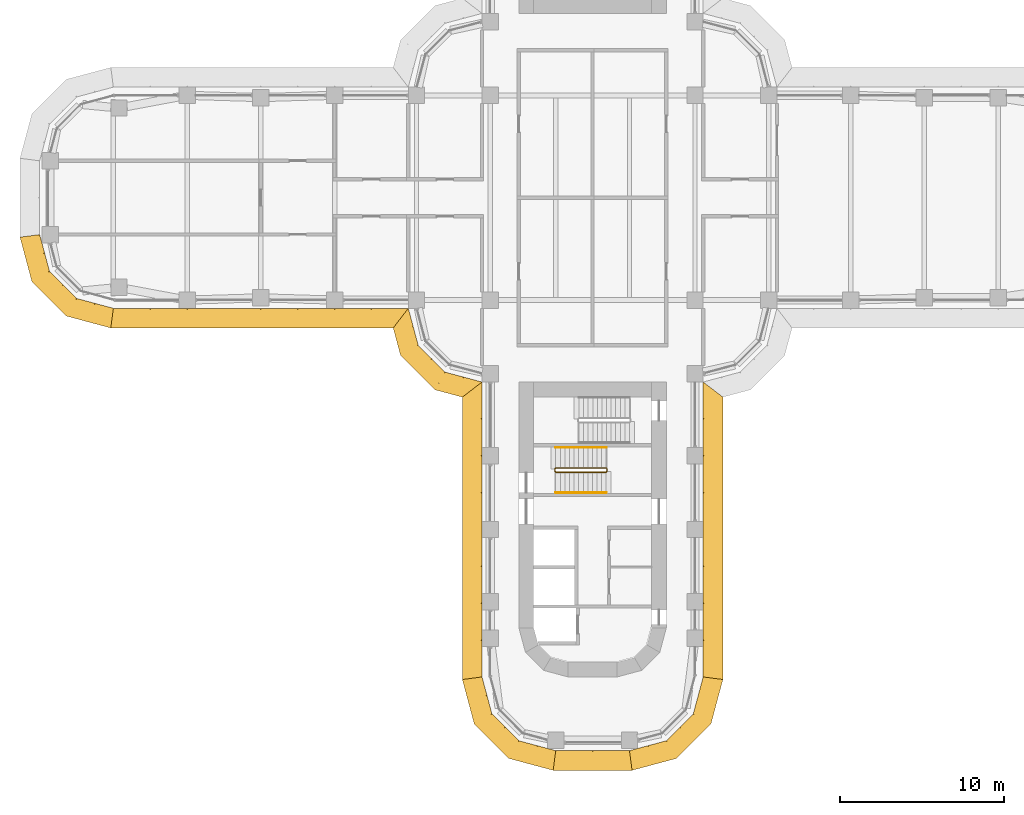
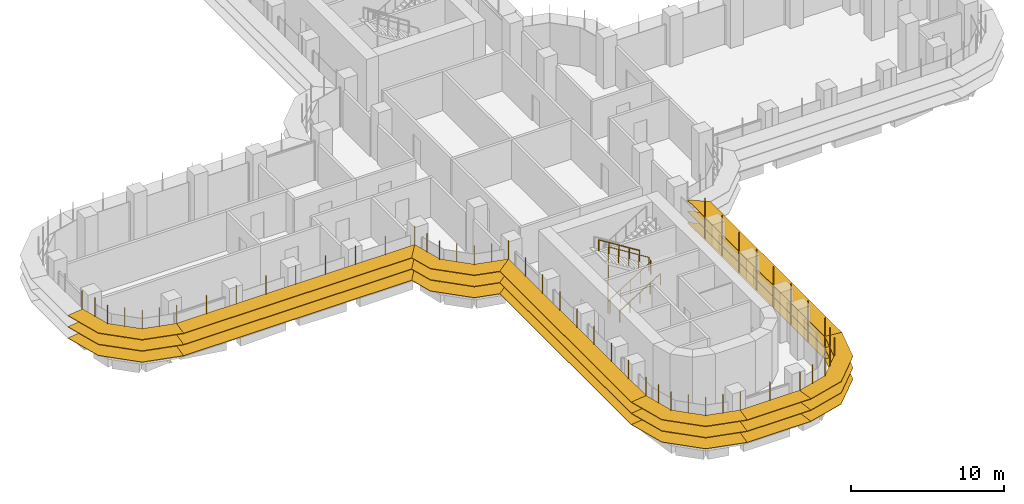
# One storey, part 20 of 23: 8 shading devices, 3 railings.
"""IFC4 building model written with IfcOpenShell, lengths in metres."""

from ifc_helpers import new_model, si_unit, direction, frame, origin, origin_2d, place, context, subcontext, project, spatial, polyline, circle, outline, extrude, faceted_brep, source, transform, mapped, material, type_object, element, save


model = new_model("IFC4")

# Units and contexts
model_context = context("Model", 3, precision=1e-05, world=origin(), true_north=direction((0.0, 1.0)))
body_context = subcontext(model_context, "Body", "Model", "MODEL_VIEW")
ifc_project = project(units=[si_unit("LENGTHUNIT", "METRE"), si_unit("AREAUNIT", "SQUARE_METRE"), si_unit("VOLUMEUNIT", "CUBIC_METRE"), si_unit("PLANEANGLEUNIT", "RADIAN"), si_unit("MASSUNIT", "GRAM", prefix="KILO")], contexts=[model_context])

# Site, building, storey
site_placement = place(None, origin())
site = spatial("IfcSite", under=ifc_project, at=site_placement, CompositionType="ELEMENT")
building_placement = place(site_placement, origin())
building = spatial("IfcBuilding", under=site, at=building_placement, Name="Zarbagh Exchange Tower", CompositionType="ELEMENT")
storey_placement = place(building_placement, frame((0.0, 0.0, 60.60009765625)))
storey = spatial("IfcBuildingStorey", under=building, at=storey_placement, Name="L13", CompositionType="ELEMENT", Elevation=60.60009765625)

# Railings
ifc_material_1 = material(Name="Stainless steel", Category="steel")
railing_type_1 = type_object("IfcRailingType", Name="Stair guard 1100 mm", PredefinedType="GUARDRAIL", material=ifc_material_1)
railing_1_placement = place(storey_placement, frame((0.830078125, -16.5, 2.27490234375)))
element("IfcRailing", 1, at=railing_1_placement, inside=storey, type_object=railing_type_1, Name="ST3 stair guard 1", PredefinedType="GUARDRAIL", context=body_context, shape_type="SweptSolid", body=[
    extrude(circle(Radius=0.02392578125, at=origin_2d()), frame((0.0, 0.0, 1.076171875), z_axis=(-0.847998304005, 0.0, 0.529998940003), x_axis=(0.0, -1.0, 0.0)), (0.0, 0.0, 1.0), 3.632080078125),
    extrude(circle(Radius=0.02392578125, at=origin_2d()), frame((-3.080078125, 0.0, 3.0009765625), z_axis=(-0.011914834358, -0.011914834358, -0.999858026644), x_axis=(0.707106781187, -0.707106781187, 0.0)), (0.0, 0.0, 1.0), 4.200439453125),
    extrude(circle(Radius=0.02392578125, at=origin_2d()), frame((-3.130126953125, -0.050048828125, -1.19873046875), z_axis=(0.0, -1.0, 0.0), x_axis=(1.0, 0.0, 0.0)), (0.0, 0.0, 1.0), 0.14990234375),
    extrude(circle(Radius=0.02392578125, at=origin_2d()), frame((-3.130126953125, -0.199951171875, -1.19873046875), z_axis=(0.265383341853, -0.265383341853, 0.926899867156), x_axis=(0.707106781187, 0.707106781187, 0.0)), (0.0, 0.0, 1.0), 0.1884765625),
    extrude(circle(Radius=0.02392578125, at=origin_2d()), frame((-3.080078125, -0.25, -1.02392578125), z_axis=(0.847998304005, 0.0, 0.529998940003), x_axis=(0.0, 1.0, 0.0)), (0.0, 0.0, 1.0), 3.632080078125),
    extrude(circle(Radius=0.02392578125, at=origin_2d()), frame((0.0, -0.25, 0.90087890625), z_axis=(0.705375805398, 0.708833529934, 0.0), x_axis=(-0.708833529934, 0.705375805398, 0.0)), (0.0, 0.0, 1.0), 0.070556640625),
    extrude(circle(Radius=0.02392578125, at=origin_2d()), frame((0.0498046875, -0.199951171875, 0.90087890625), z_axis=(0.0, 1.0, 0.0), x_axis=(-1.0, 0.0, 0.0)), (0.0, 0.0, 1.0), 0.14990234375),
    extrude(circle(Radius=0.02099609375, at=origin_2d()), origin(), (0.0, 0.0, 1.0), 1.052001953125),
    extrude(circle(Radius=0.02099609375, at=origin_2d()), frame((-0.77001953125, 0.0, 0.481201171875)), (0.0, 0.0, 1.0), 1.052001953125),
    extrude(circle(Radius=0.02099609375, at=origin_2d()), frame((-1.5400390625, 0.0, 0.96240234375)), (0.0, 0.0, 1.0), 1.052001953125),
    extrude(circle(Radius=0.02099609375, at=origin_2d()), frame((-2.31005859375, 0.0, 1.44384765625)), (0.0, 0.0, 1.0), 1.052001953125),
    extrude(circle(Radius=0.02099609375, at=origin_2d()), frame((-3.080078125, 0.0, 1.925048828125)), (0.0, 0.0, 1.0), 1.052001953125),
    extrude(circle(Radius=0.02099609375, at=origin_2d()), frame((-3.092529296875, -0.012451171875, 0.875)), (0.0, 0.0, 1.0), 1.052001953125),
    extrude(circle(Radius=0.02099609375, at=origin_2d()), frame((-3.10498046875, -0.02490234375, -0.1748046875)), (0.0, 0.0, 1.0), 1.052001953125),
    extrude(circle(Radius=0.02099609375, at=origin_2d()), frame((-3.11767578125, -0.03759765625, -1.224853515625)), (0.0, 0.0, 1.0), 1.052001953125),
    extrude(circle(Radius=0.02099609375, at=origin_2d()), frame((-3.130126953125, -0.050048828125, -2.27490234375)), (0.0, 0.0, 1.0), 1.052001953125),
    extrude(circle(Radius=0.02099609375, at=origin_2d()), frame((-3.130126953125, -0.199951171875, -2.27490234375)), (0.0, 0.0, 1.0), 1.052001953125),
    extrude(circle(Radius=0.02099609375, at=origin_2d()), frame((-3.080078125, -0.25, -2.10009765625)), (0.0, 0.0, 1.0), 1.052001953125),
    extrude(circle(Radius=0.02099609375, at=origin_2d()), frame((-2.31005859375, -0.25, -1.618896484375)), (0.0, 0.0, 1.0), 1.052001953125),
    extrude(circle(Radius=0.02099609375, at=origin_2d()), frame((-1.5400390625, -0.25, -1.1376953125)), (0.0, 0.0, 1.0), 1.052001953125),
    extrude(circle(Radius=0.02099609375, at=origin_2d()), frame((-0.77001953125, -0.25, -0.65625)), (0.0, 0.0, 1.0), 1.052001953125),
    extrude(circle(Radius=0.02099609375, at=origin_2d()), frame((0.0, -0.25, -0.175048828125)), (0.0, 0.0, 1.0), 1.052001953125),
    extrude(circle(Radius=0.02099609375, at=origin_2d()), frame((0.0498046875, -0.199951171875, -0.175048828125)), (0.0, 0.0, 1.0), 1.052001953125),
    extrude(circle(Radius=0.02099609375, at=origin_2d()), frame((0.0498046875, -0.050048828125, -0.175048828125)), (0.0, 0.0, 1.0), 1.052001953125),
])
railing_type_2 = type_object("IfcRailingType", Name="Stair handrail 900 mm", PredefinedType="HANDRAIL", material=ifc_material_1)
railing_2_placement = place(storey_placement, frame((-2.25, -18.0, 0.1748046875)))
element("IfcRailing", 2, at=railing_2_placement, inside=storey, type_object=railing_type_2, Name="ST3 stair handrail 1", PredefinedType="HANDRAIL", context=body_context, shape_type="SweptSolid", body=[
    extrude(circle(Radius=0.02392578125, at=origin_2d()), frame((0.0, 0.0, 0.8759765625), z_axis=(0.847998304005, 0.0, 0.529998940003), x_axis=(0.0, 1.0, 0.0)), (0.0, 0.0, 1.0), 3.632080078125),
    extrude(circle(Radius=0.02099609375, at=origin_2d()), origin(), (0.0, 0.0, 1.0), 0.851806640625),
    extrude(circle(Radius=0.02099609375, at=origin_2d()), frame((0.77001953125, 0.0, 0.481201171875)), (0.0, 0.0, 1.0), 0.851806640625),
    extrude(circle(Radius=0.02099609375, at=origin_2d()), frame((1.5400390625, 0.0, 0.96240234375)), (0.0, 0.0, 1.0), 0.851806640625),
    extrude(circle(Radius=0.02099609375, at=origin_2d()), frame((2.31005859375, 0.0, 1.44384765625)), (0.0, 0.0, 1.0), 0.851806640625),
    extrude(circle(Radius=0.02099609375, at=origin_2d()), frame((3.080078125, 0.0, 1.925048828125)), (0.0, 0.0, 1.0), 0.851806640625),
])
railing_3_placement = place(storey_placement, frame((0.830078125, -15.25, 2.27490234375)))
element("IfcRailing", 3, at=railing_3_placement, inside=storey, type_object=railing_type_2, Name="ST3 stair handrail 2", PredefinedType="HANDRAIL", context=body_context, shape_type="SweptSolid", body=[
    extrude(circle(Radius=0.02392578125, at=origin_2d()), frame((0.0, 0.0, 0.8759765625), z_axis=(-0.847998304005, 0.0, 0.529998940003), x_axis=(0.0, -1.0, 0.0)), (0.0, 0.0, 1.0), 3.632080078125),
    extrude(circle(Radius=0.02099609375, at=origin_2d()), origin(), (0.0, 0.0, 1.0), 0.851806640625),
    extrude(circle(Radius=0.02099609375, at=origin_2d()), frame((-0.77001953125, 0.0, 0.481201171875)), (0.0, 0.0, 1.0), 0.851806640625),
    extrude(circle(Radius=0.02099609375, at=origin_2d()), frame((-1.5400390625, 0.0, 0.96240234375)), (0.0, 0.0, 1.0), 0.851806640625),
    extrude(circle(Radius=0.02099609375, at=origin_2d()), frame((-2.31005859375, 0.0, 1.44384765625)), (0.0, 0.0, 1.0), 0.851806640625),
    extrude(circle(Radius=0.02099609375, at=origin_2d()), frame((-3.080078125, 0.0, 1.925048828125)), (0.0, 0.0, 1.0), 0.851806640625),
])

# Shading devices
ifc_material_2 = material(Name="Anodised aluminium blades and brackets", Category="aluminium")
shading_device_type = type_object("IfcShadingDeviceType", Name="SUNSHADE louvre band, 0 degree blades", PredefinedType="JALOUSIE", material=ifc_material_2)
shared_shape_1 = source(origin(), body_context, "Body", "Brep", [
    faceted_brep([(0.0, 0.0, 0.0), (0.0, 0.0, -0.0400390625), (-0.157958984375, -1.199951171875, -0.0400390625), (-0.157958984375, -1.199951171875, 0.0), (2.65087890625, -1.199951171875, 0.0), (2.65087890625, -1.199951171875, -0.0400390625), (2.329345703125, 0.0, -0.0400390625), (2.329345703125, 0.0, 0.0)], [[[0, 1, 2, 3]], [[4, 5, 6, 7]], [[0, 7, 6, 1]], [[1, 6, 5, 2]], [[2, 5, 4, 3]], [[3, 4, 7, 0]]]),
])
shared_shape_2 = source(origin(), body_context, "Body", "Brep", [
    faceted_brep([(0.0, 0.0, 0.0), (0.0, 0.0, -0.0400390625), (-0.321533203125, -1.199951171875, -0.0400390625), (-0.321533203125, -1.199951171875, 0.0), (2.65087890625, -1.199951171875, 0.0), (2.65087890625, -1.199951171875, -0.0400390625), (2.329345703125, 0.0, -0.0400390625), (2.329345703125, 0.0, 0.0)], [[[0, 1, 2, 3]], [[4, 5, 6, 7]], [[0, 7, 6, 1]], [[1, 6, 5, 2]], [[2, 5, 4, 3]], [[3, 4, 7, 0]]]),
])
shared_shape_3 = source(origin(), body_context, "Body", "Brep", [
    faceted_brep([(0.0, 0.0, 0.0), (0.0, 0.0, -0.0400390625), (-0.321533203125, -1.199951171875, -0.0400390625), (-0.321533203125, -1.199951171875, 0.0), (2.4873046875, -1.199951171875, 0.0), (2.4873046875, -1.199951171875, -0.0400390625), (2.329345703125, 0.0, -0.0400390625), (2.329345703125, 0.0, 0.0)], [[[0, 1, 2, 3]], [[4, 5, 6, 7]], [[0, 7, 6, 1]], [[1, 6, 5, 2]], [[2, 5, 4, 3]], [[3, 4, 7, 0]]]),
])
shared_shape_4 = source(origin(), body_context, "Body", "SweptSolid", [
    extrude(outline(polyline([(0.0, -0.012451171875), (0.06005859375, -0.012451171875), (0.06005859375, 0.012451171875), (0.0, 0.012451171875), (0.0, -0.012451171875)])), origin(), (0.0, 0.0, 1.0), 3.35009765625),
])
placement = place(storey_placement, origin())
element("IfcShadingDevice", 4, at=placement, inside=storey, type_object=shading_device_type, Name="SS01 sunshade band", PredefinedType="JALOUSIE", context=body_context, shape_type="MappedRepresentation", body=[
    mapped(shared_shape_1, transform((2.25, -33.75, 2.699951171875), x_axis=(0.965924289636, 0.258824779902, 0.0), y_axis=(-0.258824779902, 0.965924289636, 0.0), z_axis=(0.0, 0.0, 1.0))),
    mapped(shared_shape_1, transform((2.25, -33.75, 1.7998046875), x_axis=(0.965924289636, 0.258824779902, 0.0), y_axis=(-0.258824779902, 0.965924289636, 0.0), z_axis=(0.0, 0.0, 1.0))),
    mapped(shared_shape_1, transform((2.25, -33.75, 0.89990234375), x_axis=(0.965924289636, 0.258824779902, 0.0), y_axis=(-0.258824779902, 0.965924289636, 0.0), z_axis=(0.0, 0.0, 1.0))),
    mapped(shared_shape_2, transform((4.5, -33.147216796875, 2.699951171875), x_axis=(0.707106781187, 0.707106781187, 0.0), y_axis=(-0.707106781187, 0.707106781187, 0.0), z_axis=(0.0, 0.0, 1.0))),
    mapped(shared_shape_2, transform((4.5, -33.147216796875, 1.7998046875), x_axis=(0.707106781187, 0.707106781187, 0.0), y_axis=(-0.707106781187, 0.707106781187, 0.0), z_axis=(0.0, 0.0, 1.0))),
    mapped(shared_shape_2, transform((4.5, -33.147216796875, 0.89990234375), x_axis=(0.707106781187, 0.707106781187, 0.0), y_axis=(-0.707106781187, 0.707106781187, 0.0), z_axis=(0.0, 0.0, 1.0))),
    mapped(shared_shape_3, transform((6.147216796875, -31.5, 2.699951171875), x_axis=(0.258824779902, 0.965924289636, 0.0), y_axis=(-0.965924289636, 0.258824779902, 0.0), z_axis=(0.0, 0.0, 1.0))),
    mapped(shared_shape_3, transform((6.147216796875, -31.5, 1.7998046875), x_axis=(0.258824779902, 0.965924289636, 0.0), y_axis=(-0.965924289636, 0.258824779902, 0.0), z_axis=(0.0, 0.0, 1.0))),
    mapped(shared_shape_3, transform((6.147216796875, -31.5, 0.89990234375), x_axis=(0.258824779902, 0.965924289636, 0.0), y_axis=(-0.965924289636, 0.258824779902, 0.0), z_axis=(0.0, 0.0, 1.0))),
    mapped(shared_shape_4, transform((2.25, -33.75, 0.829833984375), x_axis=(0.130529263012, -0.991444457092, 0.0), y_axis=(0.991444457092, 0.130529263012, 0.0), z_axis=(0.0, 0.0, 1.0))),
    mapped(shared_shape_4, transform((3.375, -33.448486328125, 0.829833984375), x_axis=(0.258825058029, -0.96592421511, 0.0), y_axis=(0.96592421511, 0.258825058029, 0.0), z_axis=(0.0, 0.0, 1.0))),
    mapped(shared_shape_4, transform((4.5, -33.147216796875, 0.829833984375), x_axis=(0.50000275701, -0.866023812018, 0.0), y_axis=(0.866023812018, 0.50000275701, 0.0), z_axis=(0.0, 0.0, 1.0))),
    mapped(shared_shape_4, transform((5.323486328125, -32.323486328125, 0.829833984375), x_axis=(0.707106781187, -0.707106781187, 0.0), y_axis=(0.707106781187, 0.707106781187, 0.0), z_axis=(0.0, 0.0, 1.0))),
    mapped(shared_shape_4, transform((6.147216796875, -31.5, 0.829833984375), x_axis=(0.866023812018, -0.50000275701, 0.0), y_axis=(0.50000275701, 0.866023812018, 0.0), z_axis=(0.0, 0.0, 1.0))),
    mapped(shared_shape_4, transform((6.448486328125, -30.375, 0.829833984375), x_axis=(0.96592421511, -0.258825058029, 0.0), y_axis=(0.258825058029, 0.96592421511, 0.0), z_axis=(0.0, 0.0, 1.0))),
])
element("IfcShadingDevice", 5, at=placement, inside=storey, type_object=shading_device_type, Name="SS19 sunshade band", PredefinedType="JALOUSIE", context=body_context, shape_type="MappedRepresentation", body=[
    mapped(shared_shape_1, transform((-33.75, -2.25, 2.699951171875), x_axis=(0.258824779902, -0.965924289636, 0.0), y_axis=(0.965924289636, 0.258824779902, 0.0), z_axis=(0.0, 0.0, 1.0))),
    mapped(shared_shape_1, transform((-33.75, -2.25, 1.7998046875), x_axis=(0.258824779902, -0.965924289636, 0.0), y_axis=(0.965924289636, 0.258824779902, 0.0), z_axis=(0.0, 0.0, 1.0))),
    mapped(shared_shape_1, transform((-33.75, -2.25, 0.89990234375), x_axis=(0.258824779902, -0.965924289636, 0.0), y_axis=(0.965924289636, 0.258824779902, 0.0), z_axis=(0.0, 0.0, 1.0))),
    mapped(shared_shape_2, transform((-33.147216796875, -4.5, 2.699951171875), x_axis=(0.707106781187, -0.707106781187, 0.0), y_axis=(0.707106781187, 0.707106781187, 0.0), z_axis=(0.0, 0.0, 1.0))),
    mapped(shared_shape_2, transform((-33.147216796875, -4.5, 1.7998046875), x_axis=(0.707106781187, -0.707106781187, 0.0), y_axis=(0.707106781187, 0.707106781187, 0.0), z_axis=(0.0, 0.0, 1.0))),
    mapped(shared_shape_2, transform((-33.147216796875, -4.5, 0.89990234375), x_axis=(0.707106781187, -0.707106781187, 0.0), y_axis=(0.707106781187, 0.707106781187, 0.0), z_axis=(0.0, 0.0, 1.0))),
    mapped(shared_shape_3, transform((-31.5, -6.147216796875, 2.699951171875), x_axis=(0.965924289636, -0.258824779902, 0.0), y_axis=(0.258824779902, 0.965924289636, 0.0), z_axis=(0.0, 0.0, 1.0))),
    mapped(shared_shape_3, transform((-31.5, -6.147216796875, 1.7998046875), x_axis=(0.965924289636, -0.258824779902, 0.0), y_axis=(0.258824779902, 0.965924289636, 0.0), z_axis=(0.0, 0.0, 1.0))),
    mapped(shared_shape_3, transform((-31.5, -6.147216796875, 0.89990234375), x_axis=(0.965924289636, -0.258824779902, 0.0), y_axis=(0.258824779902, 0.965924289636, 0.0), z_axis=(0.0, 0.0, 1.0))),
    mapped(shared_shape_4, transform((-33.75, -2.25, 0.829833984375), x_axis=(-0.991444457092, -0.130529263012, 0.0), y_axis=(0.130529263012, -0.991444457092, 0.0), z_axis=(0.0, 0.0, 1.0))),
    mapped(shared_shape_4, transform((-33.448486328125, -3.375, 0.829833984375), x_axis=(-0.96592421511, -0.258825058029, 0.0), y_axis=(0.258825058029, -0.96592421511, 0.0), z_axis=(0.0, 0.0, 1.0))),
    mapped(shared_shape_4, transform((-33.147216796875, -4.5, 0.829833984375), x_axis=(-0.866023812018, -0.50000275701, 0.0), y_axis=(0.50000275701, -0.866023812018, 0.0), z_axis=(0.0, 0.0, 1.0))),
    mapped(shared_shape_4, transform((-32.323486328125, -5.323486328125, 0.829833984375), x_axis=(-0.707106781187, -0.707106781187, 0.0), y_axis=(0.707106781187, -0.707106781187, 0.0), z_axis=(0.0, 0.0, 1.0))),
    mapped(shared_shape_4, transform((-31.5, -6.147216796875, 0.829833984375), x_axis=(-0.50000275701, -0.866023812018, 0.0), y_axis=(0.866023812018, -0.50000275701, 0.0), z_axis=(0.0, 0.0, 1.0))),
    mapped(shared_shape_4, transform((-30.375, -6.448486328125, 0.829833984375), x_axis=(-0.258825058029, -0.96592421511, 0.0), y_axis=(0.96592421511, -0.258825058029, 0.0), z_axis=(0.0, 0.0, 1.0))),
])
element("IfcShadingDevice", 6, at=placement, inside=storey, type_object=shading_device_type, Name="SS23 sunshade band", PredefinedType="JALOUSIE", context=body_context, shape_type="MappedRepresentation", body=[
    mapped(shared_shape_1, transform((-6.75, -29.25, 2.699951171875), x_axis=(0.258824779902, -0.965924289636, 0.0), y_axis=(0.965924289636, 0.258824779902, 0.0), z_axis=(0.0, 0.0, 1.0))),
    mapped(shared_shape_1, transform((-6.75, -29.25, 1.7998046875), x_axis=(0.258824779902, -0.965924289636, 0.0), y_axis=(0.965924289636, 0.258824779902, 0.0), z_axis=(0.0, 0.0, 1.0))),
    mapped(shared_shape_1, transform((-6.75, -29.25, 0.89990234375), x_axis=(0.258824779902, -0.965924289636, 0.0), y_axis=(0.965924289636, 0.258824779902, 0.0), z_axis=(0.0, 0.0, 1.0))),
    mapped(shared_shape_2, transform((-6.147216796875, -31.5, 2.699951171875), x_axis=(0.707106781187, -0.707106781187, 0.0), y_axis=(0.707106781187, 0.707106781187, 0.0), z_axis=(0.0, 0.0, 1.0))),
    mapped(shared_shape_2, transform((-6.147216796875, -31.5, 1.7998046875), x_axis=(0.707106781187, -0.707106781187, 0.0), y_axis=(0.707106781187, 0.707106781187, 0.0), z_axis=(0.0, 0.0, 1.0))),
    mapped(shared_shape_2, transform((-6.147216796875, -31.5, 0.89990234375), x_axis=(0.707106781187, -0.707106781187, 0.0), y_axis=(0.707106781187, 0.707106781187, 0.0), z_axis=(0.0, 0.0, 1.0))),
    mapped(shared_shape_3, transform((-4.5, -33.147216796875, 2.699951171875), x_axis=(0.965924289636, -0.258824779902, 0.0), y_axis=(0.258824779902, 0.965924289636, 0.0), z_axis=(0.0, 0.0, 1.0))),
    mapped(shared_shape_3, transform((-4.5, -33.147216796875, 1.7998046875), x_axis=(0.965924289636, -0.258824779902, 0.0), y_axis=(0.258824779902, 0.965924289636, 0.0), z_axis=(0.0, 0.0, 1.0))),
    mapped(shared_shape_3, transform((-4.5, -33.147216796875, 0.89990234375), x_axis=(0.965924289636, -0.258824779902, 0.0), y_axis=(0.258824779902, 0.965924289636, 0.0), z_axis=(0.0, 0.0, 1.0))),
    mapped(shared_shape_4, transform((-6.75, -29.25, 0.829833984375), x_axis=(-0.991444457092, -0.130529263012, 0.0), y_axis=(0.130529263012, -0.991444457092, 0.0), z_axis=(0.0, 0.0, 1.0))),
    mapped(shared_shape_4, transform((-6.448486328125, -30.375, 0.829833984375), x_axis=(-0.96592421511, -0.258825058029, 0.0), y_axis=(0.258825058029, -0.96592421511, 0.0), z_axis=(0.0, 0.0, 1.0))),
    mapped(shared_shape_4, transform((-6.147216796875, -31.5, 0.829833984375), x_axis=(-0.866023812018, -0.50000275701, 0.0), y_axis=(0.50000275701, -0.866023812018, 0.0), z_axis=(0.0, 0.0, 1.0))),
    mapped(shared_shape_4, transform((-5.323486328125, -32.323486328125, 0.829833984375), x_axis=(-0.707106781187, -0.707106781187, 0.0), y_axis=(0.707106781187, -0.707106781187, 0.0), z_axis=(0.0, 0.0, 1.0))),
    mapped(shared_shape_4, transform((-4.5, -33.147216796875, 0.829833984375), x_axis=(-0.50000275701, -0.866023812018, 0.0), y_axis=(0.866023812018, -0.50000275701, 0.0), z_axis=(0.0, 0.0, 1.0))),
    mapped(shared_shape_4, transform((-3.375, -33.448486328125, 0.829833984375), x_axis=(-0.258825058029, -0.96592421511, 0.0), y_axis=(0.96592421511, -0.258825058029, 0.0), z_axis=(0.0, 0.0, 1.0))),
])
shared_shape_5 = source(origin(), body_context, "Body", "Brep", [
    faceted_brep([(0.0, 0.0, 0.0), (0.0, 0.0, -0.0400390625), (0.9208984375, -1.199951171875, -0.0400390625), (0.9208984375, -1.199951171875, 0.0), (2.65087890625, -1.199951171875, 0.0), (2.65087890625, -1.199951171875, -0.0400390625), (2.329345703125, 0.0, -0.0400390625), (2.329345703125, 0.0, 0.0)], [[[0, 1, 2, 3]], [[4, 5, 6, 7]], [[0, 7, 6, 1]], [[1, 6, 5, 2]], [[2, 5, 4, 3]], [[3, 4, 7, 0]]]),
])
shared_shape_6 = source(origin(), body_context, "Body", "Brep", [
    faceted_brep([(0.0, 0.0, 0.0), (0.0, 0.0, -0.0400390625), (-0.321533203125, -1.199951171875, -0.0400390625), (-0.321533203125, -1.199951171875, 0.0), (1.40869140625, -1.199951171875, 0.0), (1.40869140625, -1.199951171875, -0.0400390625), (2.329345703125, 0.0, -0.0400390625), (2.329345703125, 0.0, 0.0)], [[[0, 1, 2, 3]], [[4, 5, 6, 7]], [[0, 7, 6, 1]], [[1, 6, 5, 2]], [[2, 5, 4, 3]], [[3, 4, 7, 0]]]),
])
element("IfcShadingDevice", 7, at=placement, inside=storey, type_object=shading_device_type, Name="SS21 sunshade band", PredefinedType="JALOUSIE", context=body_context, shape_type="MappedRepresentation", body=[
    mapped(shared_shape_5, transform((-11.25, -6.75, 2.699951171875), x_axis=(0.258824779902, -0.965924289636, 0.0), y_axis=(0.965924289636, 0.258824779902, 0.0), z_axis=(0.0, 0.0, 1.0))),
    mapped(shared_shape_5, transform((-11.25, -6.75, 1.7998046875), x_axis=(0.258824779902, -0.965924289636, 0.0), y_axis=(0.965924289636, 0.258824779902, 0.0), z_axis=(0.0, 0.0, 1.0))),
    mapped(shared_shape_5, transform((-11.25, -6.75, 0.89990234375), x_axis=(0.258824779902, -0.965924289636, 0.0), y_axis=(0.965924289636, 0.258824779902, 0.0), z_axis=(0.0, 0.0, 1.0))),
    mapped(shared_shape_2, transform((-10.647216796875, -9.0, 2.699951171875), x_axis=(0.707106781187, -0.707106781187, 0.0), y_axis=(0.707106781187, 0.707106781187, 0.0), z_axis=(0.0, 0.0, 1.0))),
    mapped(shared_shape_2, transform((-10.647216796875, -9.0, 1.7998046875), x_axis=(0.707106781187, -0.707106781187, 0.0), y_axis=(0.707106781187, 0.707106781187, 0.0), z_axis=(0.0, 0.0, 1.0))),
    mapped(shared_shape_2, transform((-10.647216796875, -9.0, 0.89990234375), x_axis=(0.707106781187, -0.707106781187, 0.0), y_axis=(0.707106781187, 0.707106781187, 0.0), z_axis=(0.0, 0.0, 1.0))),
    mapped(shared_shape_6, transform((-9.0, -10.647216796875, 2.699951171875), x_axis=(0.965924289636, -0.258824779902, 0.0), y_axis=(0.258824779902, 0.965924289636, 0.0), z_axis=(0.0, 0.0, 1.0))),
    mapped(shared_shape_6, transform((-9.0, -10.647216796875, 1.7998046875), x_axis=(0.965924289636, -0.258824779902, 0.0), y_axis=(0.258824779902, 0.965924289636, 0.0), z_axis=(0.0, 0.0, 1.0))),
    mapped(shared_shape_6, transform((-9.0, -10.647216796875, 0.89990234375), x_axis=(0.965924289636, -0.258824779902, 0.0), y_axis=(0.258824779902, 0.965924289636, 0.0), z_axis=(0.0, 0.0, 1.0))),
    mapped(shared_shape_4, transform((-11.25, -6.75, 0.829833984375), x_axis=(-0.608758892, -0.793355287, 0.0), y_axis=(0.793355287, -0.608758892, 0.0), z_axis=(0.0, 0.0, 1.0))),
    mapped(shared_shape_4, transform((-10.948486328125, -7.875, 0.829833984375), x_axis=(-0.96592421511, -0.258825058029, 0.0), y_axis=(0.258825058029, -0.96592421511, 0.0), z_axis=(0.0, 0.0, 1.0))),
    mapped(shared_shape_4, transform((-10.647216796875, -9.0, 0.829833984375), x_axis=(-0.866023812018, -0.50000275701, 0.0), y_axis=(0.50000275701, -0.866023812018, 0.0), z_axis=(0.0, 0.0, 1.0))),
    mapped(shared_shape_4, transform((-9.823486328125, -9.823486328125, 0.829833984375), x_axis=(-0.707106781187, -0.707106781187, 0.0), y_axis=(0.707106781187, -0.707106781187, 0.0), z_axis=(0.0, 0.0, 1.0))),
    mapped(shared_shape_4, transform((-9.0, -10.647216796875, 0.829833984375), x_axis=(-0.50000275701, -0.866023812018, 0.0), y_axis=(0.866023812018, -0.50000275701, 0.0), z_axis=(0.0, 0.0, 1.0))),
    mapped(shared_shape_4, transform((-7.875, -10.948486328125, 0.829833984375), x_axis=(-0.258825058029, -0.96592421511, 0.0), y_axis=(0.96592421511, -0.258825058029, 0.0), z_axis=(0.0, 0.0, 1.0))),
])
shared_shape_7 = source(origin(), body_context, "Body", "Brep", [
    faceted_brep([(0.0, 0.0, 0.0), (0.0, 0.0, -0.0400390625), (-0.157958984375, -1.199951171875, -0.0400390625), (-0.157958984375, -1.199951171875, 0.0), (17.0791015625, -1.199951171875, 0.0), (17.0791015625, -1.199951171875, -0.0400390625), (18.0, 0.0, -0.0400390625), (18.0, 0.0, 0.0)], [[[0, 1, 2, 3]], [[4, 5, 6, 7]], [[0, 7, 6, 1]], [[1, 6, 5, 2]], [[2, 5, 4, 3]], [[3, 4, 7, 0]]]),
])
element("IfcShadingDevice", 8, at=placement, inside=storey, type_object=shading_device_type, Name="SS02 sunshade band", PredefinedType="JALOUSIE", context=body_context, shape_type="MappedRepresentation", body=[
    mapped(shared_shape_7, transform((6.75, -29.25, 2.699951171875), x_axis=(0.0, 1.0, 0.0), y_axis=(-1.0, 0.0, 0.0), z_axis=(0.0, 0.0, 1.0))),
    mapped(shared_shape_7, transform((6.75, -29.25, 1.7998046875), x_axis=(0.0, 1.0, 0.0), y_axis=(-1.0, 0.0, 0.0), z_axis=(0.0, 0.0, 1.0))),
    mapped(shared_shape_7, transform((6.75, -29.25, 0.89990234375), x_axis=(0.0, 1.0, 0.0), y_axis=(-1.0, 0.0, 0.0), z_axis=(0.0, 0.0, 1.0))),
    mapped(shared_shape_4, transform((6.75, -29.25, 0.829833984375), x_axis=(0.991444457092, -0.130529263012, 0.0), y_axis=(0.130529263012, 0.991444457092, 0.0), z_axis=(0.0, 0.0, 1.0))),
    mapped(shared_shape_4, transform((6.75, -27.0, 0.829833984375), x_axis=(1.0, 0.0, 0.0), y_axis=(0.0, 1.0, 0.0), z_axis=(0.0, 0.0, 1.0))),
    mapped(shared_shape_4, transform((6.75, -24.75, 0.829833984375), x_axis=(1.0, 0.0, 0.0), y_axis=(0.0, 1.0, 0.0), z_axis=(0.0, 0.0, 1.0))),
    mapped(shared_shape_4, transform((6.75, -22.5, 0.829833984375), x_axis=(1.0, 0.0, 0.0), y_axis=(0.0, 1.0, 0.0), z_axis=(0.0, 0.0, 1.0))),
    mapped(shared_shape_4, transform((6.75, -20.25, 0.829833984375), x_axis=(1.0, 0.0, 0.0), y_axis=(0.0, 1.0, 0.0), z_axis=(0.0, 0.0, 1.0))),
    mapped(shared_shape_4, transform((6.75, -18.0, 0.829833984375), x_axis=(1.0, 0.0, 0.0), y_axis=(0.0, 1.0, 0.0), z_axis=(0.0, 0.0, 1.0))),
    mapped(shared_shape_4, transform((6.75, -15.75, 0.829833984375), x_axis=(1.0, 0.0, 0.0), y_axis=(0.0, 1.0, 0.0), z_axis=(0.0, 0.0, 1.0))),
    mapped(shared_shape_4, transform((6.75, -13.5, 0.829833984375), x_axis=(1.0, 0.0, 0.0), y_axis=(0.0, 1.0, 0.0), z_axis=(0.0, 0.0, 1.0))),
])
element("IfcShadingDevice", 9, at=placement, inside=storey, type_object=shading_device_type, Name="SS20 sunshade band", PredefinedType="JALOUSIE", context=body_context, shape_type="MappedRepresentation", body=[
    mapped(shared_shape_7, transform((-29.25, -6.75, 2.699951171875), x_axis=(1.0, 0.0, 0.0), y_axis=(0.0, 1.0, 0.0), z_axis=(0.0, 0.0, 1.0))),
    mapped(shared_shape_7, transform((-29.25, -6.75, 1.7998046875), x_axis=(1.0, 0.0, 0.0), y_axis=(0.0, 1.0, 0.0), z_axis=(0.0, 0.0, 1.0))),
    mapped(shared_shape_7, transform((-29.25, -6.75, 0.89990234375), x_axis=(1.0, 0.0, 0.0), y_axis=(0.0, 1.0, 0.0), z_axis=(0.0, 0.0, 1.0))),
    mapped(shared_shape_4, transform((-29.25, -6.75, 0.829833984375), x_axis=(-0.130529263012, -0.991444457092, 0.0), y_axis=(0.991444457092, -0.130529263012, 0.0), z_axis=(0.0, 0.0, 1.0))),
    mapped(shared_shape_4, transform((-27.0, -6.75, 0.829833984375), x_axis=(0.0, -1.0, 0.0), y_axis=(1.0, 0.0, 0.0), z_axis=(0.0, 0.0, 1.0))),
    mapped(shared_shape_4, transform((-24.75, -6.75, 0.829833984375), x_axis=(0.0, -1.0, 0.0), y_axis=(1.0, 0.0, 0.0), z_axis=(0.0, 0.0, 1.0))),
    mapped(shared_shape_4, transform((-22.5, -6.75, 0.829833984375), x_axis=(0.0, -1.0, 0.0), y_axis=(1.0, 0.0, 0.0), z_axis=(0.0, 0.0, 1.0))),
    mapped(shared_shape_4, transform((-20.25, -6.75, 0.829833984375), x_axis=(0.0, -1.0, 0.0), y_axis=(1.0, 0.0, 0.0), z_axis=(0.0, 0.0, 1.0))),
    mapped(shared_shape_4, transform((-18.0, -6.75, 0.829833984375), x_axis=(0.0, -1.0, 0.0), y_axis=(1.0, 0.0, 0.0), z_axis=(0.0, 0.0, 1.0))),
    mapped(shared_shape_4, transform((-15.75, -6.75, 0.829833984375), x_axis=(0.0, -1.0, 0.0), y_axis=(1.0, 0.0, 0.0), z_axis=(0.0, 0.0, 1.0))),
    mapped(shared_shape_4, transform((-13.5, -6.75, 0.829833984375), x_axis=(0.0, -1.0, 0.0), y_axis=(1.0, 0.0, 0.0), z_axis=(0.0, 0.0, 1.0))),
])
shared_shape_8 = source(origin(), body_context, "Body", "Brep", [
    faceted_brep([(0.0, 0.0, 0.0), (0.0, 0.0, -0.0400390625), (0.9208984375, -1.199951171875, -0.0400390625), (0.9208984375, -1.199951171875, 0.0), (18.157958984375, -1.199951171875, 0.0), (18.157958984375, -1.199951171875, -0.0400390625), (18.0, 0.0, -0.0400390625), (18.0, 0.0, 0.0)], [[[0, 1, 2, 3]], [[4, 5, 6, 7]], [[0, 7, 6, 1]], [[1, 6, 5, 2]], [[2, 5, 4, 3]], [[3, 4, 7, 0]]]),
])
element("IfcShadingDevice", 10, at=placement, inside=storey, type_object=shading_device_type, Name="SS22 sunshade band", PredefinedType="JALOUSIE", context=body_context, shape_type="MappedRepresentation", body=[
    mapped(shared_shape_8, transform((-6.75, -11.25, 2.699951171875), x_axis=(0.0, -1.0, 0.0), y_axis=(1.0, 0.0, 0.0), z_axis=(0.0, 0.0, 1.0))),
    mapped(shared_shape_8, transform((-6.75, -11.25, 1.7998046875), x_axis=(0.0, -1.0, 0.0), y_axis=(1.0, 0.0, 0.0), z_axis=(0.0, 0.0, 1.0))),
    mapped(shared_shape_8, transform((-6.75, -11.25, 0.89990234375), x_axis=(0.0, -1.0, 0.0), y_axis=(1.0, 0.0, 0.0), z_axis=(0.0, 0.0, 1.0))),
    mapped(shared_shape_4, transform((-6.75, -11.25, 0.829833984375), x_axis=(-0.793355287, -0.608758892, 0.0), y_axis=(0.608758892, -0.793355287, 0.0), z_axis=(0.0, 0.0, 1.0))),
    mapped(shared_shape_4, transform((-6.75, -13.5, 0.829833984375), x_axis=(-1.0, 0.0, 0.0), y_axis=(0.0, -1.0, 0.0), z_axis=(0.0, 0.0, 1.0))),
    mapped(shared_shape_4, transform((-6.75, -15.75, 0.829833984375), x_axis=(-1.0, 0.0, 0.0), y_axis=(0.0, -1.0, 0.0), z_axis=(0.0, 0.0, 1.0))),
    mapped(shared_shape_4, transform((-6.75, -18.0, 0.829833984375), x_axis=(-1.0, 0.0, 0.0), y_axis=(0.0, -1.0, 0.0), z_axis=(0.0, 0.0, 1.0))),
    mapped(shared_shape_4, transform((-6.75, -20.25, 0.829833984375), x_axis=(-1.0, 0.0, 0.0), y_axis=(0.0, -1.0, 0.0), z_axis=(0.0, 0.0, 1.0))),
    mapped(shared_shape_4, transform((-6.75, -22.5, 0.829833984375), x_axis=(-1.0, 0.0, 0.0), y_axis=(0.0, -1.0, 0.0), z_axis=(0.0, 0.0, 1.0))),
    mapped(shared_shape_4, transform((-6.75, -24.75, 0.829833984375), x_axis=(-1.0, 0.0, 0.0), y_axis=(0.0, -1.0, 0.0), z_axis=(0.0, 0.0, 1.0))),
    mapped(shared_shape_4, transform((-6.75, -27.0, 0.829833984375), x_axis=(-1.0, 0.0, 0.0), y_axis=(0.0, -1.0, 0.0), z_axis=(0.0, 0.0, 1.0))),
])
shared_shape_9 = source(origin(), body_context, "Body", "Brep", [
    faceted_brep([(0.0, 0.0, 0.0), (0.0, 0.0, -0.0400390625), (-0.157958984375, -1.199951171875, -0.0400390625), (-0.157958984375, -1.199951171875, 0.0), (4.657958984375, -1.199951171875, 0.0), (4.657958984375, -1.199951171875, -0.0400390625), (4.5, 0.0, -0.0400390625), (4.5, 0.0, 0.0)], [[[0, 1, 2, 3]], [[4, 5, 6, 7]], [[0, 7, 6, 1]], [[1, 6, 5, 2]], [[2, 5, 4, 3]], [[3, 4, 7, 0]]]),
])
element("IfcShadingDevice", 11, at=placement, inside=storey, type_object=shading_device_type, Name="SS24 sunshade band", PredefinedType="JALOUSIE", context=body_context, shape_type="MappedRepresentation", body=[
    mapped(shared_shape_9, transform((-2.25, -33.75, 2.699951171875), x_axis=(1.0, 0.0, 0.0), y_axis=(0.0, 1.0, 0.0), z_axis=(0.0, 0.0, 1.0))),
    mapped(shared_shape_9, transform((-2.25, -33.75, 1.7998046875), x_axis=(1.0, 0.0, 0.0), y_axis=(0.0, 1.0, 0.0), z_axis=(0.0, 0.0, 1.0))),
    mapped(shared_shape_9, transform((-2.25, -33.75, 0.89990234375), x_axis=(1.0, 0.0, 0.0), y_axis=(0.0, 1.0, 0.0), z_axis=(0.0, 0.0, 1.0))),
    mapped(shared_shape_4, transform((-2.25, -33.75, 0.829833984375), x_axis=(-0.130529263012, -0.991444457092, 0.0), y_axis=(0.991444457092, -0.130529263012, 0.0), z_axis=(0.0, 0.0, 1.0))),
    mapped(shared_shape_4, transform((0.0, -33.75, 0.829833984375), x_axis=(0.0, -1.0, 0.0), y_axis=(1.0, 0.0, 0.0), z_axis=(0.0, 0.0, 1.0))),
])

save(model, "model.ifc")
